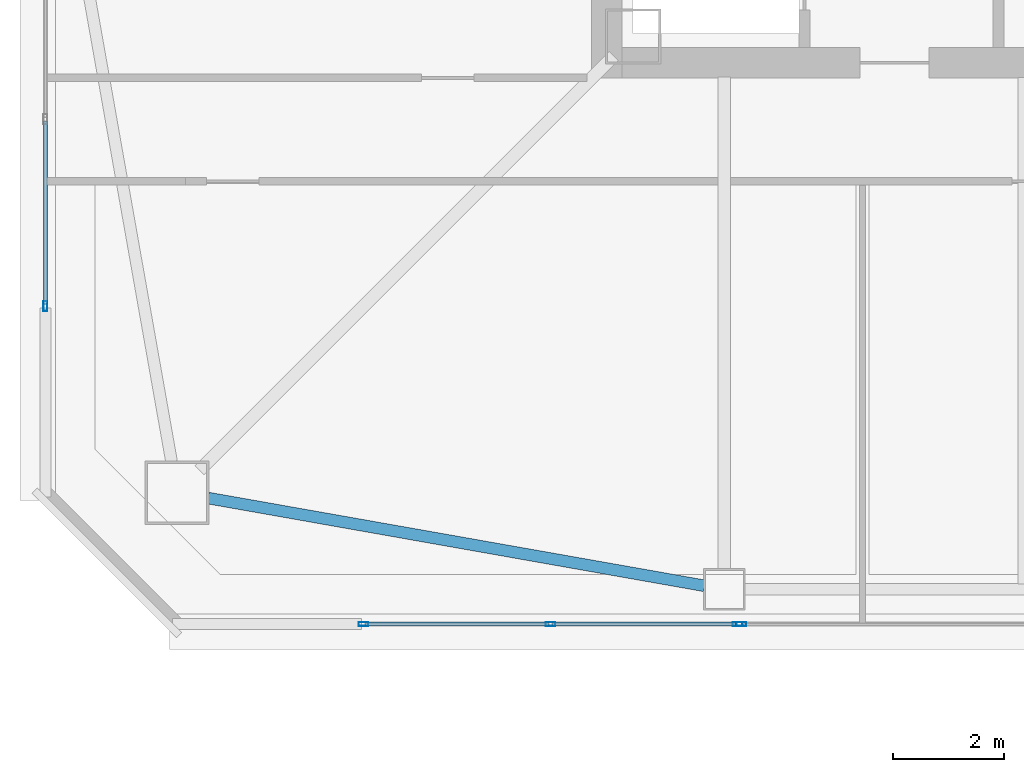
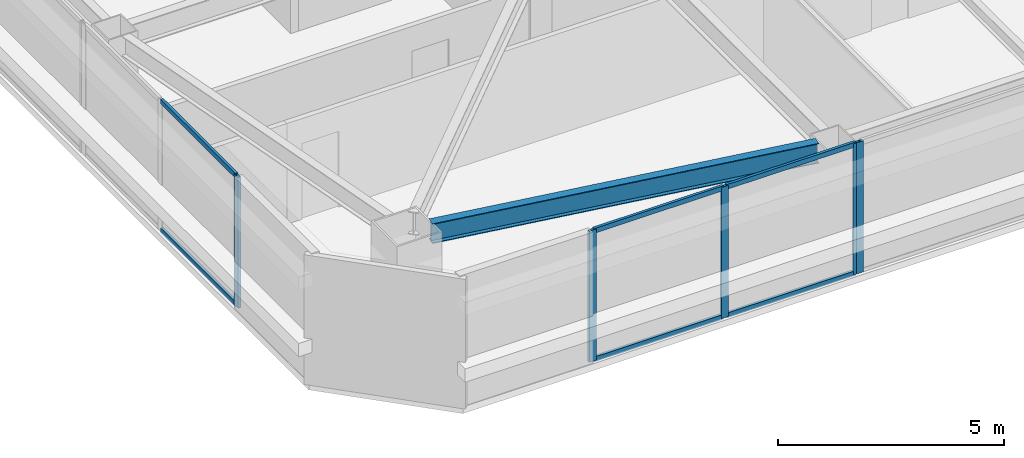
# One storey, part 3 of 43: 11 members, 1 beam, 3 elements without a shape of their own.
"""IFC4 building model written with IfcOpenShell, lengths in metres."""

from ifc_helpers import new_model, si_unit, direction, frame, origin, origin_2d, place, context, subcontext, project, spatial, hollow_rectangle, i_section, extrude, material, material_profile, profile_set, type_object, element, aggregate, save


model = new_model("IFC4")

# Units and contexts
model_context = context("Model", 3, precision=1e-05, world=origin(), true_north=direction((0.0, 1.0)))
body_context = subcontext(model_context, "Body", "Model", "MODEL_VIEW")
ifc_project = project(units=[si_unit("LENGTHUNIT", "METRE"), si_unit("AREAUNIT", "SQUARE_METRE"), si_unit("VOLUMEUNIT", "CUBIC_METRE"), si_unit("PLANEANGLEUNIT", "RADIAN"), si_unit("MASSUNIT", "GRAM", prefix="KILO")], contexts=[model_context])

# Site, building, storey
site_placement = place(None, origin())
site = spatial("IfcSite", under=ifc_project, at=site_placement, CompositionType="ELEMENT")
building_placement = place(site_placement, origin())
building = spatial("IfcBuilding", under=site, at=building_placement, Name="Tashvorn Skyway Center", CompositionType="ELEMENT")
storey_placement = place(building_placement, frame((0.0, 0.0, 160.550048828125)))
storey = spatial("IfcBuildingStorey", under=building, at=storey_placement, Name="L43", CompositionType="ELEMENT", Elevation=160.550048828125)

# Beam
ifc_material_1 = material(Name="Steel ASTM A992 Grade 50", Category="steel")
ifc_material_profile_1 = material_profile(ifc_material_1, i_section(OverallWidth=0.2109375, OverallDepth=0.5390625, WebThickness=0.01171875, FlangeThickness=0.018798828125, at=origin_2d()), Name="W21X73")
ifc_profile_set_1 = profile_set([ifc_material_profile_1], Name="Steel ASTM A992 Grade 50")
beam_type = type_object("IfcBeamType", Name="BM-SPANDREL-W21X73", PredefinedType="SPANDREL", material=ifc_profile_set_1)
beam_placement = place(storey_placement, frame((27.26123046875, 16.600830078125, 3.100341796875), z_axis=(0.984732545667, -0.174074160933, 0.0), x_axis=(0.174074160933, 0.984732545667, 0.0)))
element("IfcBeam", 1, at=beam_placement, inside=storey, type_object=beam_type, Name="Tower 1 L43 Spandrel Beam 01", PredefinedType="SPANDREL", context=body_context, shape_type="SweptSolid", body=[
    extrude(i_section(OverallWidth=0.2109375, OverallDepth=0.5390625, WebThickness=0.01171875, FlangeThickness=0.018798828125, at=origin_2d()), origin(), (0.0, 0.0, 1.0), 9.113525390625),
])

# Curtain wall, member
ifc_material_2 = material(Name="Thermally broken bronze-anodized aluminium 6063-T6", Category="aluminium")
curtain_wall_type = type_object("IfcCurtainWallType", Name="CW-CW-Z4", PredefinedType="NOTDEFINED", material=ifc_material_2)
curtain_wall_1_placement = place(storey_placement, origin())
curtain_wall_1 = element("IfcCurtainWall", 2, at=curtain_wall_1_placement, inside=storey, type_object=curtain_wall_type, Name="Tower 1 L43 South Unitised Curtain Wall Glazing Group 2", PredefinedType="NOTDEFINED")
ifc_material_profile_2 = material_profile(ifc_material_2, hollow_rectangle(XDim=0.070068359375, YDim=0.179931640625, WallThickness=0.00390625, at=origin_2d()), Name="ALU-MULL-70x180")
ifc_profile_set_2 = profile_set([ifc_material_profile_2], Name="Thermally broken bronze-anodized aluminium 6063-T6")
member_type_1 = type_object("IfcMemberType", Name="CWM-CW-Z4", PredefinedType="MULLION", material=ifc_profile_set_2)
member_1_placement = place(storey_placement, frame((36.908203125, 14.320068359375, 0.0), z_axis=(0.0, 0.0, 1.0), x_axis=(0.0, -1.0, 0.0)))
member_1 = element("IfcMember", 3, at=member_1_placement, type_object=member_type_1, Name="CW-Z4 mullion 2", PredefinedType="MULLION", context=body_context, shape_type="SweptSolid", body=[
    extrude(hollow_rectangle(XDim=0.070068359375, YDim=0.179931640625, WallThickness=0.00390625, at=origin_2d()), origin(), (0.0, 0.0, 1.0), 3.550048828125),
])
aggregate(curtain_wall_1, [member_1])

# Curtain wall, members
curtain_wall_2_placement = place(storey_placement, origin())
curtain_wall_2 = element("IfcCurtainWall", 4, at=curtain_wall_2_placement, inside=storey, type_object=curtain_wall_type, Name="Tower 1 L43 South Unitised Curtain Wall Glazing Group 3", PredefinedType="NOTDEFINED")
member_2_placement = place(storey_placement, frame((36.83837890625, 14.320068359375, 0.0), z_axis=(0.0, 0.0, 1.0), x_axis=(0.0, -1.0, 0.0)))
member_2 = element("IfcMember", 5, at=member_2_placement, type_object=member_type_1, Name="CW-Z4 mullion 1", PredefinedType="MULLION", context=body_context, shape_type="SweptSolid", body=[
    extrude(hollow_rectangle(XDim=0.070068359375, YDim=0.179931640625, WallThickness=0.00390625, at=origin_2d()), origin(), (0.0, 0.0, 1.0), 3.550048828125),
])
member_3_placement = place(storey_placement, frame((33.45556640625, 14.320068359375, 0.0), z_axis=(0.0, 0.0, 1.0), x_axis=(0.0, -1.0, 0.0)))
member_3 = element("IfcMember", 6, at=member_3_placement, type_object=member_type_1, Name="CW-Z4 mullion 2", PredefinedType="MULLION", context=body_context, shape_type="SweptSolid", body=[
    extrude(hollow_rectangle(XDim=0.070068359375, YDim=0.179931640625, WallThickness=0.00390625, at=origin_2d()), origin(), (0.0, 0.0, 1.0), 3.550048828125),
])
member_4_placement = place(storey_placement, frame((30.07275390625, 14.320068359375, 0.0), z_axis=(0.0, 0.0, 1.0), x_axis=(0.0, -1.0, 0.0)))
member_4 = element("IfcMember", 7, at=member_4_placement, type_object=member_type_1, Name="CW-Z4 mullion 3", PredefinedType="MULLION", context=body_context, shape_type="SweptSolid", body=[
    extrude(hollow_rectangle(XDim=0.070068359375, YDim=0.179931640625, WallThickness=0.00390625, at=origin_2d()), origin(), (0.0, 0.0, 1.0), 3.550048828125),
])

# Curtain wall, member
curtain_wall_3_placement = place(storey_placement, origin())
curtain_wall_3 = element("IfcCurtainWall", 8, at=curtain_wall_3_placement, inside=storey, type_object=curtain_wall_type, Name="Tower 1 L43 West Unitised Curtain Wall Glazing Group 1", PredefinedType="NOTDEFINED")
member_5_placement = place(storey_placement, frame((24.320068359375, 20.07275390625, 0.0), z_axis=(0.0, 0.0, 1.0), x_axis=(-1.0, 0.0, 0.0)))
member_5 = element("IfcMember", 9, at=member_5_placement, type_object=member_type_1, Name="CW-Z4 mullion 1", PredefinedType="MULLION", context=body_context, shape_type="SweptSolid", body=[
    extrude(hollow_rectangle(XDim=0.070068359375, YDim=0.179931640625, WallThickness=0.00390625, at=origin_2d()), origin(), (0.0, 0.0, 1.0), 3.550048828125),
])

# Member
ifc_material_profile_3 = material_profile(ifc_material_2, hollow_rectangle(XDim=0.070068359375, YDim=0.1298828125, WallThickness=0.00390625, at=origin_2d()), Name="ALU-TRAN-70x130")
ifc_profile_set_3 = profile_set([ifc_material_profile_3], Name="Thermally broken bronze-anodized aluminium 6063-T6")
member_type_2 = type_object("IfcMemberType", Name="CWT-CW-Z4", PredefinedType="USERDEFINED", material=ifc_profile_set_3)
member_6_placement = place(storey_placement, frame((36.80322265625, 14.320068359375, 0.034912109375), z_axis=(-1.0, 0.0, 0.0), x_axis=(0.0, -1.0, 0.0)))
member_6 = element("IfcMember", 10, at=member_6_placement, type_object=member_type_2, Name="CW-Z4 transom 1.1", ObjectType="TRANSOM", PredefinedType="USERDEFINED", context=body_context, shape_type="SweptSolid", body=[
    extrude(hollow_rectangle(XDim=0.070068359375, YDim=0.1298828125, WallThickness=0.00390625, at=origin_2d()), origin(), (0.0, 0.0, 1.0), 3.312744140625),
])

member_7_placement = place(storey_placement, frame((36.80322265625, 14.320068359375, 3.514892578125), z_axis=(-1.0, 0.0, 0.0), x_axis=(0.0, -1.0, 0.0)))
member_7 = element("IfcMember", 11, at=member_7_placement, type_object=member_type_2, Name="CW-Z4 transom 1.2", ObjectType="TRANSOM", PredefinedType="USERDEFINED", context=body_context, shape_type="SweptSolid", body=[
    extrude(hollow_rectangle(XDim=0.070068359375, YDim=0.1298828125, WallThickness=0.00390625, at=origin_2d()), origin(), (0.0, 0.0, 1.0), 3.312744140625),
])

member_8_placement = place(storey_placement, frame((33.420654296875, 14.320068359375, 0.034912109375), z_axis=(-1.0, 0.0, 0.0), x_axis=(0.0, -1.0, 0.0)))
member_8 = element("IfcMember", 12, at=member_8_placement, type_object=member_type_2, Name="CW-Z4 transom 2.1", ObjectType="TRANSOM", PredefinedType="USERDEFINED", context=body_context, shape_type="SweptSolid", body=[
    extrude(hollow_rectangle(XDim=0.070068359375, YDim=0.1298828125, WallThickness=0.00390625, at=origin_2d()), origin(), (0.0, 0.0, 1.0), 3.312744140625),
])

member_9_placement = place(storey_placement, frame((33.420654296875, 14.320068359375, 3.514892578125), z_axis=(-1.0, 0.0, 0.0), x_axis=(0.0, -1.0, 0.0)))
member_9 = element("IfcMember", 13, at=member_9_placement, type_object=member_type_2, Name="CW-Z4 transom 2.2", ObjectType="TRANSOM", PredefinedType="USERDEFINED", context=body_context, shape_type="SweptSolid", body=[
    extrude(hollow_rectangle(XDim=0.070068359375, YDim=0.1298828125, WallThickness=0.00390625, at=origin_2d()), origin(), (0.0, 0.0, 1.0), 3.312744140625),
])

aggregate(curtain_wall_2, [member_2, member_3, member_4, member_6, member_7, member_8, member_9])

member_10_placement = place(storey_placement, frame((24.320068359375, 20.10791015625, 0.034912109375), z_axis=(0.0, 1.0, 0.0), x_axis=(-1.0, 0.0, 0.0)))
member_10 = element("IfcMember", 14, at=member_10_placement, type_object=member_type_2, Name="CW-Z4 transom 1.1", ObjectType="TRANSOM", PredefinedType="USERDEFINED", context=body_context, shape_type="SweptSolid", body=[
    extrude(hollow_rectangle(XDim=0.070068359375, YDim=0.1298828125, WallThickness=0.00390625, at=origin_2d()), origin(), (0.0, 0.0, 1.0), 3.312744140625),
])

member_11_placement = place(storey_placement, frame((24.320068359375, 20.10791015625, 3.514892578125), z_axis=(0.0, 1.0, 0.0), x_axis=(-1.0, 0.0, 0.0)))
member_11 = element("IfcMember", 15, at=member_11_placement, type_object=member_type_2, Name="CW-Z4 transom 1.2", ObjectType="TRANSOM", PredefinedType="USERDEFINED", context=body_context, shape_type="SweptSolid", body=[
    extrude(hollow_rectangle(XDim=0.070068359375, YDim=0.1298828125, WallThickness=0.00390625, at=origin_2d()), origin(), (0.0, 0.0, 1.0), 3.312744140625),
])

aggregate(curtain_wall_3, [member_5, member_10, member_11])

save(model, "model.ifc")
